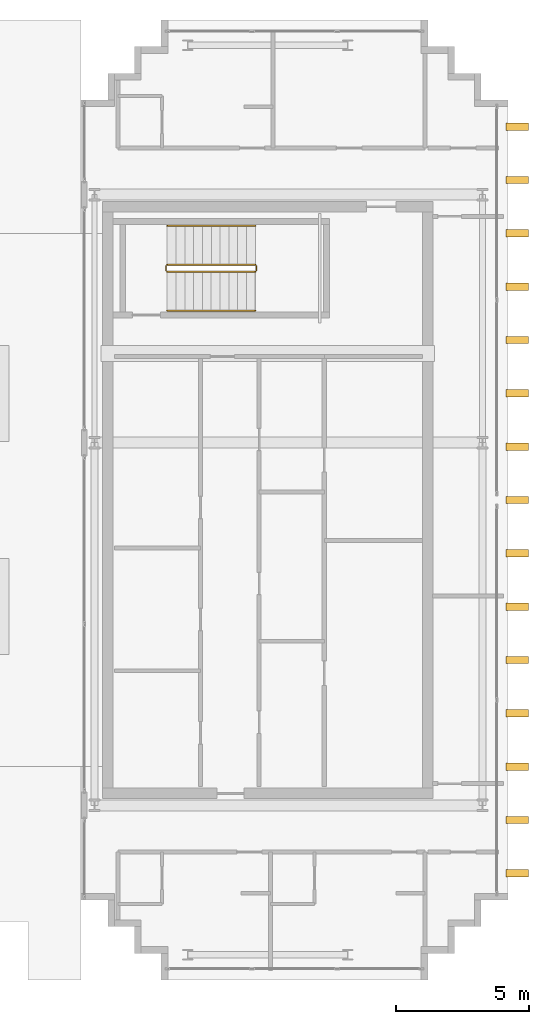
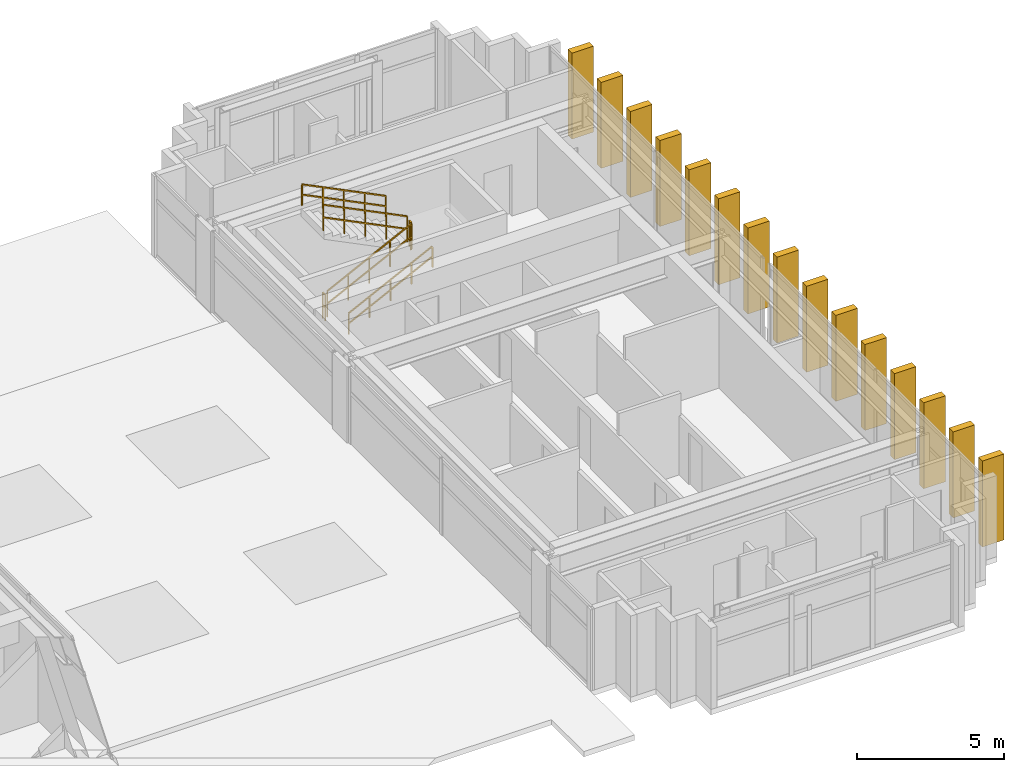
# One storey, part 25 of 25: 15 shading devices, 6 railings.
"""IFC4 building model written with IfcOpenShell, lengths in metres."""

from ifc_helpers import new_model, si_unit, direction, frame, origin, origin_2d, place, context, subcontext, project, spatial, rectangle, extrude, source, transform, mapped, material, type_object, element, save


model = new_model("IFC4")

# Units and contexts
model_context = context("Model", 3, precision=1e-05, world=origin(), true_north=direction((0.0, 1.0)))
body_context = subcontext(model_context, "Body", "Model", "MODEL_VIEW")
ifc_project = project(units=[si_unit("LENGTHUNIT", "METRE"), si_unit("AREAUNIT", "SQUARE_METRE"), si_unit("VOLUMEUNIT", "CUBIC_METRE"), si_unit("PLANEANGLEUNIT", "RADIAN"), si_unit("MASSUNIT", "GRAM", prefix="KILO")], contexts=[model_context])

# Site, building, storey
site_placement = place(None, origin())
site = spatial("IfcSite", under=ifc_project, at=site_placement, CompositionType="ELEMENT")
building_placement = place(site_placement, origin())
building = spatial("IfcBuilding", under=site, at=building_placement, Name="Ocotamira Hotel", CompositionType="ELEMENT")
storey_placement = place(building_placement, frame((0.0, 0.0, 250.800048828125)))
storey = spatial("IfcBuildingStorey", under=building, at=storey_placement, Name="L63", CompositionType="ELEMENT", Elevation=250.800048828125)

# Railings
ifc_material_1 = material(Name="Brushed stainless steel handrail", Category="steel")
railing_type_1 = type_object("IfcRailingType", Name="RL-HAND-900", PredefinedType="HANDRAIL", material=ifc_material_1)
railing_1_placement = place(storey_placement, frame((43.22998046875, 33.10009765625, 0.3271484375)))
element("IfcRailing", 1, at=railing_1_placement, inside=storey, type_object=railing_type_1, Name="L63 ST-4 stair handrail 1", PredefinedType="HANDRAIL", context=body_context, shape_type="SweptSolid", body=[
    extrude(rectangle(XDim=0.048095703125, YDim=0.048095703125, at=origin_2d()), frame((0.0, 0.0, 0.8759765625), z_axis=(0.895893744519, 0.0, 0.4442683857), x_axis=(0.0, 1.0, 0.0)), (0.0, 0.0, 1.0), 3.68359375),
    extrude(rectangle(XDim=0.048095703125, YDim=0.048095703125, at=origin_2d()), frame((0.0, 0.0, 0.449951171875), z_axis=(0.895893744519, 0.0, 0.4442683857), x_axis=(0.0, 1.0, 0.0)), (0.0, 0.0, 1.0), 3.68359375),
    extrude(rectangle(XDim=0.0419921875, YDim=0.0419921875, at=origin_2d()), origin(), (0.0, 0.0, 1.0), 0.851806640625),
    extrude(rectangle(XDim=0.0419921875, YDim=0.0419921875, at=origin_2d()), frame((0.824951171875, 0.0, 0.4091796875)), (0.0, 0.0, 1.0), 0.851806640625),
    extrude(rectangle(XDim=0.0419921875, YDim=0.0419921875, at=origin_2d()), frame((1.64990234375, 0.0, 0.818359375)), (0.0, 0.0, 1.0), 0.851806640625),
    extrude(rectangle(XDim=0.0419921875, YDim=0.0419921875, at=origin_2d()), frame((2.47509765625, 0.0, 1.227294921875)), (0.0, 0.0, 1.0), 0.851806640625),
    extrude(rectangle(XDim=0.0419921875, YDim=0.0419921875, at=origin_2d()), frame((3.300048828125, 0.0, 1.636474609375)), (0.0, 0.0, 1.0), 0.851806640625),
])
railing_2_placement = place(storey_placement, frame((46.530029296875, 36.280029296875, 2.127197265625)))
element("IfcRailing", 2, at=railing_2_placement, inside=storey, type_object=railing_type_1, Name="L63 ST-4 stair handrail 2", PredefinedType="HANDRAIL", context=body_context, shape_type="SweptSolid", body=[
    extrude(rectangle(XDim=0.048095703125, YDim=0.048095703125, at=origin_2d()), frame((0.0, 0.0, 0.8759765625), z_axis=(-0.895893744519, 0.0, 0.4442683857), x_axis=(0.0, -1.0, 0.0)), (0.0, 0.0, 1.0), 3.68359375),
    extrude(rectangle(XDim=0.048095703125, YDim=0.048095703125, at=origin_2d()), frame((0.0, 0.0, 0.449951171875), z_axis=(-0.895893744519, 0.0, 0.4442683857), x_axis=(0.0, -1.0, 0.0)), (0.0, 0.0, 1.0), 3.68359375),
    extrude(rectangle(XDim=0.0419921875, YDim=0.0419921875, at=origin_2d()), origin(), (0.0, 0.0, 1.0), 0.851806640625),
    extrude(rectangle(XDim=0.0419921875, YDim=0.0419921875, at=origin_2d()), frame((-0.824951171875, 0.0, 0.4091796875)), (0.0, 0.0, 1.0), 0.851806640625),
    extrude(rectangle(XDim=0.0419921875, YDim=0.0419921875, at=origin_2d()), frame((-1.64990234375, 0.0, 0.818359375)), (0.0, 0.0, 1.0), 0.851806640625),
    extrude(rectangle(XDim=0.0419921875, YDim=0.0419921875, at=origin_2d()), frame((-2.47509765625, 0.0, 1.227294921875)), (0.0, 0.0, 1.0), 0.851806640625),
    extrude(rectangle(XDim=0.0419921875, YDim=0.0419921875, at=origin_2d()), frame((-3.300048828125, 0.0, 1.636474609375)), (0.0, 0.0, 1.0), 0.851806640625),
])
ifc_material_2 = material(Name="Painted steel stair guardrail", Category="steel")
railing_type_2 = type_object("IfcRailingType", Name="RL-STAIR-1100", PredefinedType="GUARDRAIL", material=ifc_material_2)
railing_3_placement = place(storey_placement, frame((43.22998046875, 34.56005859375, 0.16357421875)))
element("IfcRailing", 3, at=railing_3_placement, inside=storey, type_object=railing_type_2, Name="L63 ST-4 stair guard 1", PredefinedType="GUARDRAIL", context=body_context, shape_type="SweptSolid", body=[
    extrude(rectangle(XDim=0.048095703125, YDim=0.048095703125, at=origin_2d()), frame((0.0, 0.0, 1.076171875), z_axis=(0.895893744519, 0.0, 0.4442683857), x_axis=(0.0, 1.0, 0.0)), (0.0, 0.0, 1.0), 3.68359375),
    extrude(rectangle(XDim=0.048095703125, YDim=0.048095703125, at=origin_2d()), frame((0.0, 0.0, 0.550048828125), z_axis=(0.895893744519, 0.0, 0.4442683857), x_axis=(0.0, 1.0, 0.0)), (0.0, 0.0, 1.0), 3.68359375),
    extrude(rectangle(XDim=0.0419921875, YDim=0.0419921875, at=origin_2d()), origin(), (0.0, 0.0, 1.0), 1.052001953125),
    extrude(rectangle(XDim=0.0419921875, YDim=0.0419921875, at=origin_2d()), frame((0.824951171875, 0.0, 0.4091796875)), (0.0, 0.0, 1.0), 1.052001953125),
    extrude(rectangle(XDim=0.0419921875, YDim=0.0419921875, at=origin_2d()), frame((1.64990234375, 0.0, 0.818359375)), (0.0, 0.0, 1.0), 1.052001953125),
    extrude(rectangle(XDim=0.0419921875, YDim=0.0419921875, at=origin_2d()), frame((2.47509765625, 0.0, 1.227294921875)), (0.0, 0.0, 1.0), 1.052001953125),
    extrude(rectangle(XDim=0.0419921875, YDim=0.0419921875, at=origin_2d()), frame((3.300048828125, 0.0, 1.636474609375)), (0.0, 0.0, 1.0), 1.052001953125),
])
railing_4_placement = place(storey_placement, frame((46.580078125, 34.610107421875, 1.800048828125)))
element("IfcRailing", 4, at=railing_4_placement, inside=storey, type_object=railing_type_2, Name="L63 ST-4 stair guard 2", PredefinedType="GUARDRAIL", context=body_context, shape_type="SweptSolid", body=[
    extrude(rectangle(XDim=0.048095703125, YDim=0.048095703125, at=origin_2d()), frame((0.0, 0.0, 1.076171875), z_axis=(0.0, 1.0, 0.0), x_axis=(-1.0, 0.0, 0.0)), (0.0, 0.0, 1.0), 0.159912109375),
    extrude(rectangle(XDim=0.048095703125, YDim=0.048095703125, at=origin_2d()), frame((0.0, 0.0, 0.550048828125), z_axis=(0.0, 1.0, 0.0), x_axis=(-1.0, 0.0, 0.0)), (0.0, 0.0, 1.0), 0.159912109375),
    extrude(rectangle(XDim=0.0419921875, YDim=0.0419921875, at=origin_2d()), origin(), (0.0, 0.0, 1.0), 1.052001953125),
    extrude(rectangle(XDim=0.0419921875, YDim=0.0419921875, at=origin_2d()), frame((0.0, 0.159912109375, 0.0)), (0.0, 0.0, 1.0), 1.052001953125),
])
railing_5_placement = place(storey_placement, frame((46.530029296875, 34.820068359375, 1.963623046875)))
element("IfcRailing", 5, at=railing_5_placement, inside=storey, type_object=railing_type_2, Name="L63 ST-4 stair guard 3", PredefinedType="GUARDRAIL", context=body_context, shape_type="SweptSolid", body=[
    extrude(rectangle(XDim=0.048095703125, YDim=0.048095703125, at=origin_2d()), frame((0.0, 0.0, 1.076171875), z_axis=(-0.895920123917, 0.0, 0.444215186098), x_axis=(0.0, -1.0, 0.0)), (0.0, 0.0, 1.0), 3.683349609375),
    extrude(rectangle(XDim=0.048095703125, YDim=0.048095703125, at=origin_2d()), frame((0.0, 0.0, 0.550048828125), z_axis=(-0.895920123917, 0.0, 0.444215186098), x_axis=(0.0, -1.0, 0.0)), (0.0, 0.0, 1.0), 3.683349609375),
    extrude(rectangle(XDim=0.0419921875, YDim=0.0419921875, at=origin_2d()), origin(), (0.0, 0.0, 1.0), 1.052001953125),
    extrude(rectangle(XDim=0.0419921875, YDim=0.0419921875, at=origin_2d()), frame((-0.824951171875, 0.0, 0.4091796875)), (0.0, 0.0, 1.0), 1.052001953125),
    extrude(rectangle(XDim=0.0419921875, YDim=0.0419921875, at=origin_2d()), frame((-1.64990234375, 0.0, 0.818115234375)), (0.0, 0.0, 1.0), 1.052001953125),
    extrude(rectangle(XDim=0.0419921875, YDim=0.0419921875, at=origin_2d()), frame((-2.47509765625, 0.0, 1.22705078125)), (0.0, 0.0, 1.0), 1.052001953125),
    extrude(rectangle(XDim=0.0419921875, YDim=0.0419921875, at=origin_2d()), frame((-3.300048828125, 0.0, 1.63623046875)), (0.0, 0.0, 1.0), 1.052001953125),
])
railing_6_placement = place(storey_placement, frame((43.179931640625, 34.610107421875, 0.0)))
element("IfcRailing", 6, at=railing_6_placement, inside=storey, type_object=railing_type_2, Name="L63 ST-4 stair guard 4", PredefinedType="GUARDRAIL", context=body_context, shape_type="SweptSolid", body=[
    extrude(rectangle(XDim=0.048095703125, YDim=0.048095703125, at=origin_2d()), frame((0.0, 0.0, 1.076171875), z_axis=(0.0, 1.0, 0.0), x_axis=(-1.0, 0.0, 0.0)), (0.0, 0.0, 1.0), 0.159912109375),
    extrude(rectangle(XDim=0.048095703125, YDim=0.048095703125, at=origin_2d()), frame((0.0, 0.0, 0.550048828125), z_axis=(0.0, 1.0, 0.0), x_axis=(-1.0, 0.0, 0.0)), (0.0, 0.0, 1.0), 0.159912109375),
    extrude(rectangle(XDim=0.0419921875, YDim=0.0419921875, at=origin_2d()), origin(), (0.0, 0.0, 1.0), 1.052001953125),
    extrude(rectangle(XDim=0.0419921875, YDim=0.0419921875, at=origin_2d()), frame((0.0, 0.159912109375, 0.0)), (0.0, 0.0, 1.0), 1.052001953125),
])

# Shading devices
ifc_material_3 = material(Name="Pale-metal anodised aluminium architectural fin", Category="aluminium")
shading_device_type = type_object("IfcShadingDeviceType", Name="SHD-PIER-850", PredefinedType="USERDEFINED", material=ifc_material_3)
shared_shape = source(origin(), body_context, "Body", "SweptSolid", [
    extrude(rectangle(XDim=0.85009765625, YDim=0.280029296875, at=origin_2d()), origin(), (0.0, 0.0, 1.0), 3.580078125),
])
for number, where, z_axis, x_axis, name in (
    (7, (56.35009765625, 12.0, -0.10009765625), (0.0, 0.0, 1.0), (1.0, 0.0, 0.0), "L63 Vertical Pale-Metal Pier E Y12"),
    (8, (56.35009765625, 14.0, -0.10009765625), (0.0, 0.0, 1.0), (1.0, 0.0, 0.0), "L63 Vertical Pale-Metal Pier E Y14"),
    (9, (56.35009765625, 16.0, -0.10009765625), (0.0, 0.0, 1.0), (1.0, 0.0, 0.0), "L63 Vertical Pale-Metal Pier E Y16"),
    (10, (56.35009765625, 18.0, -0.10009765625), (0.0, 0.0, 1.0), (1.0, 0.0, 0.0), "L63 Vertical Pale-Metal Pier E Y18"),
    (11, (56.35009765625, 20.0, -0.10009765625), (0.0, 0.0, 1.0), (1.0, 0.0, 0.0), "L63 Vertical Pale-Metal Pier E Y20"),
    (12, (56.35009765625, 22.0, -0.10009765625), (0.0, 0.0, 1.0), (1.0, 0.0, 0.0), "L63 Vertical Pale-Metal Pier E Y22"),
    (13, (56.35009765625, 24.0, -0.10009765625), (0.0, 0.0, 1.0), (1.0, 0.0, 0.0), "L63 Vertical Pale-Metal Pier E Y24"),
    (14, (56.35009765625, 26.0, -0.10009765625), (0.0, 0.0, 1.0), (1.0, 0.0, 0.0), "L63 Vertical Pale-Metal Pier E Y26"),
    (15, (56.35009765625, 28.0, -0.10009765625), (0.0, 0.0, 1.0), (1.0, 0.0, 0.0), "L63 Vertical Pale-Metal Pier E Y28"),
    (16, (56.35009765625, 30.0, -0.10009765625), (0.0, 0.0, 1.0), (1.0, 0.0, 0.0), "L63 Vertical Pale-Metal Pier E Y30"),
    (17, (56.35009765625, 32.0, -0.10009765625), (0.0, 0.0, 1.0), (1.0, 0.0, 0.0), "L63 Vertical Pale-Metal Pier E Y32"),
    (18, (56.35009765625, 34.0, -0.10009765625), (0.0, 0.0, 1.0), (1.0, 0.0, 0.0), "L63 Vertical Pale-Metal Pier E Y34"),
    (19, (56.35009765625, 36.0, -0.10009765625), (0.0, 0.0, 1.0), (1.0, 0.0, 0.0), "L63 Vertical Pale-Metal Pier E Y36"),
    (20, (56.35009765625, 38.0, -0.10009765625), (0.0, 0.0, 1.0), (1.0, 0.0, 0.0), "L63 Vertical Pale-Metal Pier E Y38"),
    (21, (56.35009765625, 40.0, -0.10009765625), (0.0, 0.0, 1.0), (1.0, 0.0, 0.0), "L63 Vertical Pale-Metal Pier E Y40"),
):
    element("IfcShadingDevice", number, at=place(storey_placement, frame(where, z_axis=z_axis, x_axis=x_axis)), inside=storey, type_object=shading_device_type, Name=name, ObjectType="FIN", PredefinedType="USERDEFINED", context=body_context, shape_type="MappedRepresentation", body=[
        mapped(shared_shape, transform((0.0, 0.0, 0.0), scale=1.0)),
    ])

save(model, "model.ifc")
